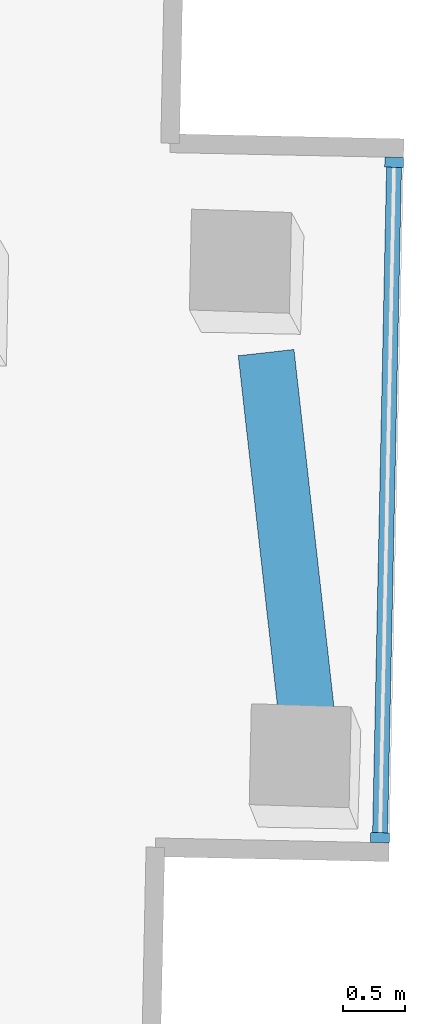
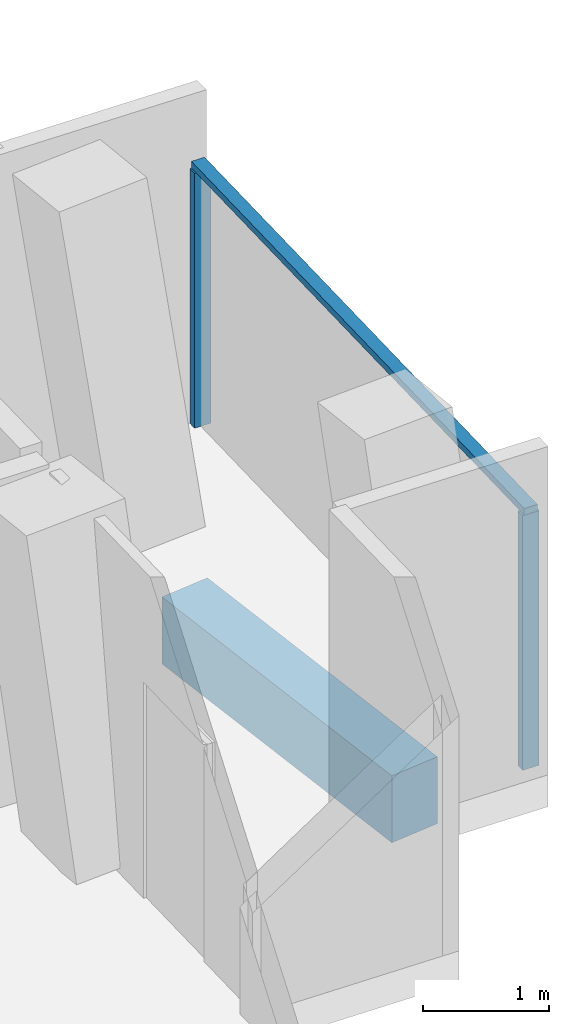
# One storey, part 6 of 22: 3 members, 1 beam, 1 element without a shape of its own.
"""IFC4 building model written with IfcOpenShell, lengths in metres."""

from ifc_helpers import new_model, si_unit, direction, frame, origin, origin_2d, place, context, subcontext, project, spatial, rectangle, extrude, material, layer, layer_set, material_profile, profile_set, type_object, element, aggregate, save


model = new_model("IFC4")

# Units and contexts
model_context = context("Model", 3, precision=1e-05, world=origin(), true_north=direction((0.0, 1.0)))
body_context = subcontext(model_context, "Body", "Model", "MODEL_VIEW")
ifc_project = project(units=[si_unit("LENGTHUNIT", "METRE"), si_unit("AREAUNIT", "SQUARE_METRE"), si_unit("VOLUMEUNIT", "CUBIC_METRE"), si_unit("PLANEANGLEUNIT", "RADIAN"), si_unit("MASSUNIT", "GRAM", prefix="KILO")], contexts=[model_context])

# Site, building, storey
site_placement = place(None, origin())
site = spatial("IfcSite", under=ifc_project, at=site_placement, CompositionType="ELEMENT")
building_placement = place(site_placement, origin())
building = spatial("IfcBuilding", under=site, at=building_placement, Name="Verdalira Terraces Hotel", CompositionType="ELEMENT")
storey_placement = place(building_placement, frame((0.0, 0.0, 150.5)))
storey = spatial("IfcBuildingStorey", under=building, at=storey_placement, Name="L36", CompositionType="ELEMENT", Elevation=150.5)

# Curtain wall, members
ifc_material_1 = material(Name="Clear glass", Category="glass")
ifc_layer = layer(ifc_material_1, 0.14990234375)
ifc_layer_set = layer_set([ifc_layer], Name="CW3 curtain wall")
curtain_wall_type = type_object("IfcCurtainWallType", Name="CW3 curtain wall", PredefinedType="NOTDEFINED", material=ifc_layer_set)
curtain_wall_placement = place(storey_placement, origin())
curtain_wall = element("IfcCurtainWall", 1, at=curtain_wall_placement, inside=storey, type_object=curtain_wall_type, Name="CW3 curtain wall L36 edge 33", PredefinedType="NOTDEFINED")
ifc_material_2 = material(Name="Terracotta frame", Category="masonry")
ifc_material_profile_1 = material_profile(ifc_material_2, rectangle(XDim=0.080078, YDim=0.149902, at=origin_2d()), Name="MU 80x150")
ifc_profile_set_1 = profile_set([ifc_material_profile_1], Name="Terracotta frame")
member_type_1 = type_object("IfcMemberType", Name="CW3 mullion 80x150", PredefinedType="MULLION", material=ifc_profile_set_1)
member_1_placement = place(storey_placement, frame((32.731934, -3.39624, 0.0), z_axis=(0.0, 0.0, 1.0), x_axis=(0.02094242, 0.999780683, 0.0)))
member_1 = element("IfcMember", 2, at=member_1_placement, type_object=member_type_1, Name="CW3 mullion", PredefinedType="MULLION", context=body_context, shape_type="SweptSolid", body=[
    extrude(rectangle(XDim=0.080078, YDim=0.149902, at=origin_2d()), origin(), (0.0, 0.0, 1.0), 2.475098),
])
member_2_placement = place(storey_placement, frame((32.845459, 2.022461, 0.0), z_axis=(0.0, 0.0, 1.0), x_axis=(0.02094242, 0.999780683, 0.0)))
member_2 = element("IfcMember", 3, at=member_2_placement, type_object=member_type_1, Name="CW3 mullion", PredefinedType="MULLION", context=body_context, shape_type="SweptSolid", body=[
    extrude(rectangle(XDim=0.080078, YDim=0.149902, at=origin_2d()), origin(), (0.0, 0.0, 1.0), 2.475098),
])
ifc_material_3 = material(Name="Terracotta frame", Category="masonry")
ifc_material_profile_2 = material_profile(ifc_material_3, rectangle(XDim=0.120117, YDim=0.064941, at=origin_2d()), Name="TR 65x120")
ifc_profile_set_2 = profile_set([ifc_material_profile_2], Name="Terracotta frame")
member_type_2 = type_object("IfcMemberType", Name="CW3 transom 65x120", PredefinedType="USERDEFINED", material=ifc_profile_set_2)
member_3_placement = place(storey_placement, frame((32.730957, -3.436279, 2.507568), z_axis=(0.020951756, 0.999780488, 0.0), x_axis=(-0.999780488, 0.020951756, 0.0)))
member_3 = element("IfcMember", 4, at=member_3_placement, type_object=member_type_2, Name="CW3 transom", ObjectType="TRANSOM", PredefinedType="USERDEFINED", context=body_context, shape_type="SweptSolid", body=[
    extrude(rectangle(XDim=0.120117, YDim=0.064941, at=origin_2d()), origin(), (0.0, 0.0, 1.0), 5.5),
])
aggregate(curtain_wall, [member_1, member_2, member_3])

# Beam
ifc_material_4 = material(Name="Concrete C50", Category="concrete")
ifc_material_profile_3 = material_profile(ifc_material_4, rectangle(XDim=0.449951, YDim=0.649902, at=origin_2d()), Name="RC 450X650")
ifc_profile_set_3 = profile_set([ifc_material_profile_3], Name="Concrete C50")
beam_type = type_object("IfcBeamType", Name="Spandrel beam RC 450X650 C50", PredefinedType="SPANDREL", material=ifc_profile_set_3)
beam_placement = place(storey_placement, frame((32.161621, -2.572021, -0.63501), z_axis=(-0.111282205, 0.993788846, 0.0), x_axis=(-0.993788846, -0.111282205, 0.0)))
element("IfcBeam", 5, at=beam_placement, inside=storey, type_object=beam_type, Name="Spandrel beam B16", PredefinedType="SPANDREL", context=body_context, shape_type="SweptSolid", body=[
    extrude(rectangle(XDim=0.449951, YDim=0.649902, at=origin_2d()), origin(), (0.0, 0.0, 1.0), 3.086914),
])

save(model, "model.ifc")
